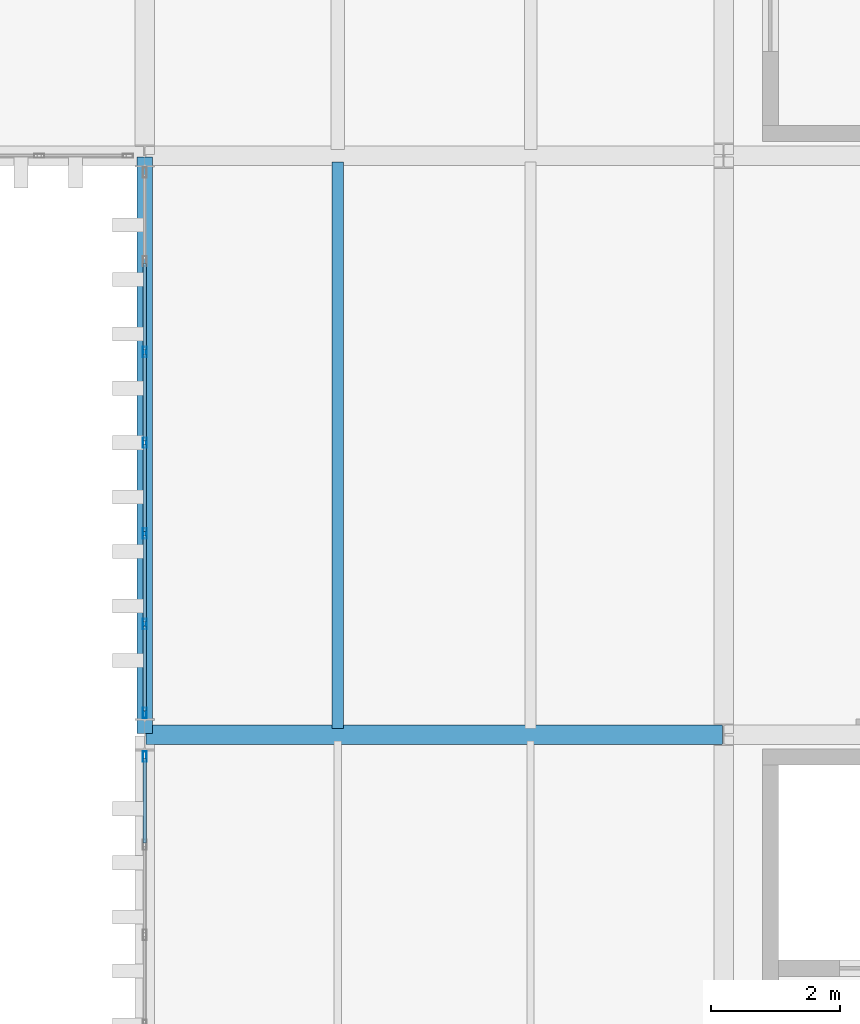
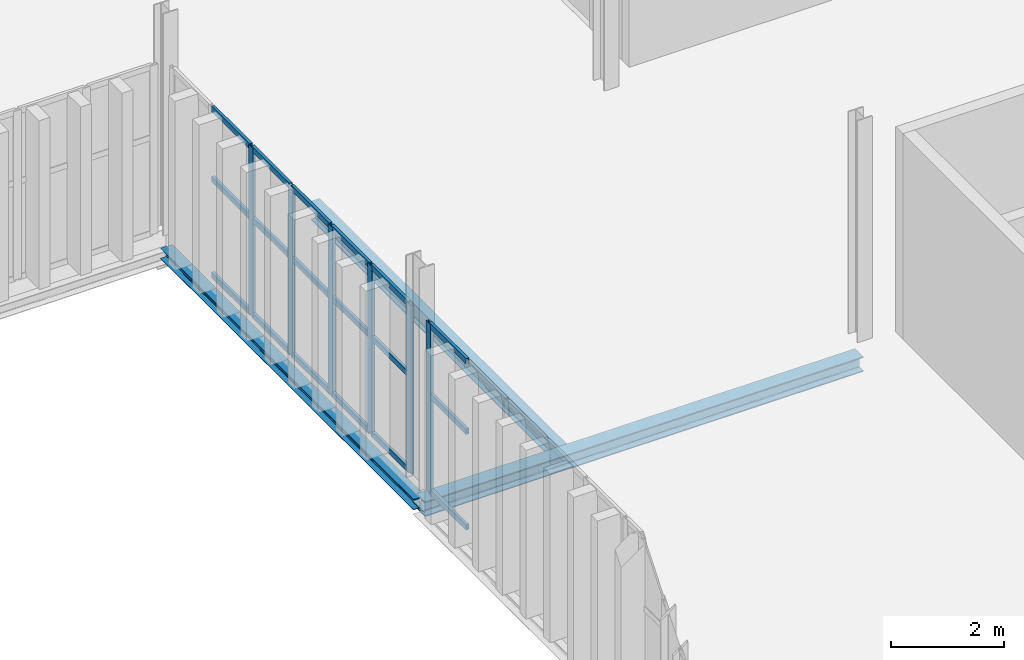
# One storey, part 141 of 196: 24 members, 3 beams, 2 elements without a shape of their own.
"""IFC4 building model written with IfcOpenShell, lengths in metres."""

from ifc_helpers import new_model, si_unit, direction, frame, origin, origin_2d, place, context, subcontext, project, spatial, hollow_rectangle, i_section, extrude, material, layer, layer_set, material_profile, profile_set, type_object, element, aggregate, save


model = new_model("IFC4")

# Units and contexts
model_context = context("Model", 3, precision=1e-05, world=origin(), true_north=direction((0.0, 1.0)))
body_context = subcontext(model_context, "Body", "Model", "MODEL_VIEW")
ifc_project = project(units=[si_unit("LENGTHUNIT", "METRE"), si_unit("AREAUNIT", "SQUARE_METRE"), si_unit("VOLUMEUNIT", "CUBIC_METRE"), si_unit("PLANEANGLEUNIT", "RADIAN"), si_unit("MASSUNIT", "GRAM", prefix="KILO")], contexts=[model_context])

# Site, building, storey
site_placement = place(None, origin())
site = spatial("IfcSite", under=ifc_project, at=site_placement, CompositionType="ELEMENT")
building_placement = place(site_placement, origin())
building = spatial("IfcBuilding", under=site, at=building_placement, Name="Barlavento Convention Centre", CompositionType="ELEMENT")
storey_placement = place(building_placement, frame((0.0, 0.0, 18.0)))
storey = spatial("IfcBuildingStorey", under=building, at=storey_placement, Name="L03", CompositionType="ELEMENT", Elevation=18.0)

# Curtain wall, member
ifc_material_1 = material(Name="Powder-coated aluminium and Low-E glass", Category="aluminium")
ifc_layer = layer(ifc_material_1, 0.179931640625)
ifc_layer_set = layer_set([ifc_layer], Name="ARC-CW-PATIO-B")
curtain_wall_type = type_object("IfcCurtainWallType", Name="ARC-CW-PATIO-B", PredefinedType="NOTDEFINED", material=ifc_layer_set)
curtain_wall_1_placement = place(storey_placement, origin())
curtain_wall_1 = element("IfcCurtainWall", 1, at=curtain_wall_1_placement, inside=storey, type_object=curtain_wall_type, Name="L03 unitised curtain wall CW12", PredefinedType="NOTDEFINED")
ifc_material_2 = material(Name="Powder-coated aluminium", Category="aluminium")
ifc_material_profile_1 = material_profile(ifc_material_2, hollow_rectangle(XDim=0.06005859375, YDim=0.159912109375, WallThickness=0.00390625, at=origin_2d()), Name="AL-MULL 60x160x4")
ifc_profile_set_1 = profile_set([ifc_material_profile_1], Name="Powder-coated aluminium")
member_type_1 = type_object("IfcMemberType", Name="ARC-CWM-60X160", PredefinedType="MULLION", material=ifc_profile_set_1)
member_1_placement = place(storey_placement, frame((171.0, 80.659912109375, 0.0), z_axis=(0.0, 0.0, 1.0), x_axis=(-1.0, 0.0, 0.0)))
member_1 = element("IfcMember", 2, at=member_1_placement, type_object=member_type_1, Name="CW12 mullion 7", PredefinedType="MULLION", context=body_context, shape_type="SweptSolid", body=[
    extrude(hollow_rectangle(XDim=0.06005859375, YDim=0.159912109375, WallThickness=0.00390625, at=origin_2d()), origin(), (0.0, 0.0, 1.0), 3.64990234375),
])

# Curtain wall, members
curtain_wall_2_placement = place(storey_placement, origin())
curtain_wall_2 = element("IfcCurtainWall", 3, at=curtain_wall_2_placement, inside=storey, type_object=curtain_wall_type, Name="L03 unitised curtain wall CW12", PredefinedType="NOTDEFINED")
member_2_placement = place(storey_placement, frame((171.0, 81.340087890625, 0.0), z_axis=(0.0, 0.0, 1.0), x_axis=(-1.0, 0.0, 0.0)))
member_2 = element("IfcMember", 4, at=member_2_placement, type_object=member_type_1, Name="CW12 mullion 1", PredefinedType="MULLION", context=body_context, shape_type="SweptSolid", body=[
    extrude(hollow_rectangle(XDim=0.06005859375, YDim=0.159912109375, WallThickness=0.00390625, at=origin_2d()), origin(), (0.0, 0.0, 1.0), 3.64990234375),
])
member_3_placement = place(storey_placement, frame((171.0, 82.719970703125, 0.0), z_axis=(0.0, 0.0, 1.0), x_axis=(-1.0, 0.0, 0.0)))
member_3 = element("IfcMember", 5, at=member_3_placement, type_object=member_type_1, Name="CW12 mullion 2", PredefinedType="MULLION", context=body_context, shape_type="SweptSolid", body=[
    extrude(hollow_rectangle(XDim=0.06005859375, YDim=0.159912109375, WallThickness=0.00390625, at=origin_2d()), origin(), (0.0, 0.0, 1.0), 3.64990234375),
])
member_4_placement = place(storey_placement, frame((171.0, 84.1298828125, 0.0), z_axis=(0.0, 0.0, 1.0), x_axis=(-1.0, 0.0, 0.0)))
member_4 = element("IfcMember", 6, at=member_4_placement, type_object=member_type_1, Name="CW12 mullion 3", PredefinedType="MULLION", context=body_context, shape_type="SweptSolid", body=[
    extrude(hollow_rectangle(XDim=0.06005859375, YDim=0.159912109375, WallThickness=0.00390625, at=origin_2d()), origin(), (0.0, 0.0, 1.0), 3.64990234375),
])
member_5_placement = place(storey_placement, frame((171.0, 85.5400390625, 0.0), z_axis=(0.0, 0.0, 1.0), x_axis=(-1.0, 0.0, 0.0)))
member_5 = element("IfcMember", 7, at=member_5_placement, type_object=member_type_1, Name="CW12 mullion 4", PredefinedType="MULLION", context=body_context, shape_type="SweptSolid", body=[
    extrude(hollow_rectangle(XDim=0.06005859375, YDim=0.159912109375, WallThickness=0.00390625, at=origin_2d()), origin(), (0.0, 0.0, 1.0), 3.64990234375),
])
member_6_placement = place(storey_placement, frame((171.0, 86.949951171875, 0.0), z_axis=(0.0, 0.0, 1.0), x_axis=(-1.0, 0.0, 0.0)))
member_6 = element("IfcMember", 8, at=member_6_placement, type_object=member_type_1, Name="CW12 mullion 5", PredefinedType="MULLION", context=body_context, shape_type="SweptSolid", body=[
    extrude(hollow_rectangle(XDim=0.06005859375, YDim=0.159912109375, WallThickness=0.00390625, at=origin_2d()), origin(), (0.0, 0.0, 1.0), 3.64990234375),
])

# Member
ifc_material_profile_2 = material_profile(ifc_material_2, hollow_rectangle(XDim=0.06005859375, YDim=0.1201171875, WallThickness=0.00390625, at=origin_2d()), Name="AL-TRAN 60x120x4")
ifc_profile_set_2 = profile_set([ifc_material_profile_2], Name="Powder-coated aluminium")
member_type_2 = type_object("IfcMemberType", Name="ARC-CWT-60X120", PredefinedType="USERDEFINED", material=ifc_profile_set_2)
member_7_placement = place(storey_placement, frame((171.0, 79.319091796875, 0.030029296875), z_axis=(0.0, 1.0, 0.0), x_axis=(-1.0, 0.0, 0.0)))
member_7 = element("IfcMember", 9, at=member_7_placement, type_object=member_type_2, Name="CW12 transom 6.1", ObjectType="TRANSOM", PredefinedType="USERDEFINED", context=body_context, shape_type="SweptSolid", body=[
    extrude(hollow_rectangle(XDim=0.06005859375, YDim=0.1201171875, WallThickness=0.00390625, at=origin_2d()), origin(), (0.0, 0.0, 1.0), 1.310791015625),
])

member_8_placement = place(storey_placement, frame((171.0, 79.319091796875, 2.10009765625), z_axis=(0.0, 1.0, 0.0), x_axis=(-1.0, 0.0, 0.0)))
member_8 = element("IfcMember", 10, at=member_8_placement, type_object=member_type_2, Name="CW12 transom 6.2", ObjectType="TRANSOM", PredefinedType="USERDEFINED", context=body_context, shape_type="SweptSolid", body=[
    extrude(hollow_rectangle(XDim=0.06005859375, YDim=0.1201171875, WallThickness=0.00390625, at=origin_2d()), origin(), (0.0, 0.0, 1.0), 1.310791015625),
])

member_9_placement = place(storey_placement, frame((171.0, 79.319091796875, 3.6201171875), z_axis=(0.0, 1.0, 0.0), x_axis=(-1.0, 0.0, 0.0)))
member_9 = element("IfcMember", 11, at=member_9_placement, type_object=member_type_2, Name="CW12 transom 6.3", ObjectType="TRANSOM", PredefinedType="USERDEFINED", context=body_context, shape_type="SweptSolid", body=[
    extrude(hollow_rectangle(XDim=0.06005859375, YDim=0.1201171875, WallThickness=0.00390625, at=origin_2d()), origin(), (0.0, 0.0, 1.0), 1.310791015625),
])

aggregate(curtain_wall_1, [member_1, member_7, member_8, member_9])

member_10_placement = place(storey_placement, frame((171.0, 81.3701171875, 0.030029296875), z_axis=(0.0, 1.0, 0.0), x_axis=(-1.0, 0.0, 0.0)))
member_10 = element("IfcMember", 12, at=member_10_placement, type_object=member_type_2, Name="CW12 transom 1.1", ObjectType="TRANSOM", PredefinedType="USERDEFINED", context=body_context, shape_type="SweptSolid", body=[
    extrude(hollow_rectangle(XDim=0.06005859375, YDim=0.1201171875, WallThickness=0.00390625, at=origin_2d()), origin(), (0.0, 0.0, 1.0), 1.31982421875),
])

member_11_placement = place(storey_placement, frame((171.0, 81.3701171875, 2.10009765625), z_axis=(0.0, 1.0, 0.0), x_axis=(-1.0, 0.0, 0.0)))
member_11 = element("IfcMember", 13, at=member_11_placement, type_object=member_type_2, Name="CW12 transom 1.2", ObjectType="TRANSOM", PredefinedType="USERDEFINED", context=body_context, shape_type="SweptSolid", body=[
    extrude(hollow_rectangle(XDim=0.06005859375, YDim=0.1201171875, WallThickness=0.00390625, at=origin_2d()), origin(), (0.0, 0.0, 1.0), 1.31982421875),
])

member_12_placement = place(storey_placement, frame((171.0, 81.3701171875, 3.6201171875), z_axis=(0.0, 1.0, 0.0), x_axis=(-1.0, 0.0, 0.0)))
member_12 = element("IfcMember", 14, at=member_12_placement, type_object=member_type_2, Name="CW12 transom 1.3", ObjectType="TRANSOM", PredefinedType="USERDEFINED", context=body_context, shape_type="SweptSolid", body=[
    extrude(hollow_rectangle(XDim=0.06005859375, YDim=0.1201171875, WallThickness=0.00390625, at=origin_2d()), origin(), (0.0, 0.0, 1.0), 1.31982421875),
])

member_13_placement = place(storey_placement, frame((171.0, 82.75, 0.030029296875), z_axis=(0.0, 1.0, 0.0), x_axis=(-1.0, 0.0, 0.0)))
member_13 = element("IfcMember", 15, at=member_13_placement, type_object=member_type_2, Name="CW12 transom 2.1", ObjectType="TRANSOM", PredefinedType="USERDEFINED", context=body_context, shape_type="SweptSolid", body=[
    extrude(hollow_rectangle(XDim=0.06005859375, YDim=0.1201171875, WallThickness=0.00390625, at=origin_2d()), origin(), (0.0, 0.0, 1.0), 1.35009765625),
])

member_14_placement = place(storey_placement, frame((171.0, 82.75, 2.10009765625), z_axis=(0.0, 1.0, 0.0), x_axis=(-1.0, 0.0, 0.0)))
member_14 = element("IfcMember", 16, at=member_14_placement, type_object=member_type_2, Name="CW12 transom 2.2", ObjectType="TRANSOM", PredefinedType="USERDEFINED", context=body_context, shape_type="SweptSolid", body=[
    extrude(hollow_rectangle(XDim=0.06005859375, YDim=0.1201171875, WallThickness=0.00390625, at=origin_2d()), origin(), (0.0, 0.0, 1.0), 1.35009765625),
])

member_15_placement = place(storey_placement, frame((171.0, 82.75, 3.6201171875), z_axis=(0.0, 1.0, 0.0), x_axis=(-1.0, 0.0, 0.0)))
member_15 = element("IfcMember", 17, at=member_15_placement, type_object=member_type_2, Name="CW12 transom 2.3", ObjectType="TRANSOM", PredefinedType="USERDEFINED", context=body_context, shape_type="SweptSolid", body=[
    extrude(hollow_rectangle(XDim=0.06005859375, YDim=0.1201171875, WallThickness=0.00390625, at=origin_2d()), origin(), (0.0, 0.0, 1.0), 1.35009765625),
])

member_16_placement = place(storey_placement, frame((171.0, 84.159912109375, 0.030029296875), z_axis=(0.0, 1.0, 0.0), x_axis=(-1.0, 0.0, 0.0)))
member_16 = element("IfcMember", 18, at=member_16_placement, type_object=member_type_2, Name="CW12 transom 3.1", ObjectType="TRANSOM", PredefinedType="USERDEFINED", context=body_context, shape_type="SweptSolid", body=[
    extrude(hollow_rectangle(XDim=0.06005859375, YDim=0.1201171875, WallThickness=0.00390625, at=origin_2d()), origin(), (0.0, 0.0, 1.0), 1.35009765625),
])

member_17_placement = place(storey_placement, frame((171.0, 84.159912109375, 2.10009765625), z_axis=(0.0, 1.0, 0.0), x_axis=(-1.0, 0.0, 0.0)))
member_17 = element("IfcMember", 19, at=member_17_placement, type_object=member_type_2, Name="CW12 transom 3.2", ObjectType="TRANSOM", PredefinedType="USERDEFINED", context=body_context, shape_type="SweptSolid", body=[
    extrude(hollow_rectangle(XDim=0.06005859375, YDim=0.1201171875, WallThickness=0.00390625, at=origin_2d()), origin(), (0.0, 0.0, 1.0), 1.35009765625),
])

member_18_placement = place(storey_placement, frame((171.0, 84.159912109375, 3.6201171875), z_axis=(0.0, 1.0, 0.0), x_axis=(-1.0, 0.0, 0.0)))
member_18 = element("IfcMember", 20, at=member_18_placement, type_object=member_type_2, Name="CW12 transom 3.3", ObjectType="TRANSOM", PredefinedType="USERDEFINED", context=body_context, shape_type="SweptSolid", body=[
    extrude(hollow_rectangle(XDim=0.06005859375, YDim=0.1201171875, WallThickness=0.00390625, at=origin_2d()), origin(), (0.0, 0.0, 1.0), 1.35009765625),
])

member_19_placement = place(storey_placement, frame((171.0, 85.570068359375, 0.030029296875), z_axis=(0.0, 1.0, 0.0), x_axis=(-1.0, 0.0, 0.0)))
member_19 = element("IfcMember", 21, at=member_19_placement, type_object=member_type_2, Name="CW12 transom 4.1", ObjectType="TRANSOM", PredefinedType="USERDEFINED", context=body_context, shape_type="SweptSolid", body=[
    extrude(hollow_rectangle(XDim=0.06005859375, YDim=0.1201171875, WallThickness=0.00390625, at=origin_2d()), origin(), (0.0, 0.0, 1.0), 1.349853515625),
])

member_20_placement = place(storey_placement, frame((171.0, 85.570068359375, 2.10009765625), z_axis=(0.0, 1.0, 0.0), x_axis=(-1.0, 0.0, 0.0)))
member_20 = element("IfcMember", 22, at=member_20_placement, type_object=member_type_2, Name="CW12 transom 4.2", ObjectType="TRANSOM", PredefinedType="USERDEFINED", context=body_context, shape_type="SweptSolid", body=[
    extrude(hollow_rectangle(XDim=0.06005859375, YDim=0.1201171875, WallThickness=0.00390625, at=origin_2d()), origin(), (0.0, 0.0, 1.0), 1.349853515625),
])

member_21_placement = place(storey_placement, frame((171.0, 85.570068359375, 3.6201171875), z_axis=(0.0, 1.0, 0.0), x_axis=(-1.0, 0.0, 0.0)))
member_21 = element("IfcMember", 23, at=member_21_placement, type_object=member_type_2, Name="CW12 transom 4.3", ObjectType="TRANSOM", PredefinedType="USERDEFINED", context=body_context, shape_type="SweptSolid", body=[
    extrude(hollow_rectangle(XDim=0.06005859375, YDim=0.1201171875, WallThickness=0.00390625, at=origin_2d()), origin(), (0.0, 0.0, 1.0), 1.349853515625),
])

member_22_placement = place(storey_placement, frame((171.0, 86.97998046875, 0.030029296875), z_axis=(0.0, 1.0, 0.0), x_axis=(-1.0, 0.0, 0.0)))
member_22 = element("IfcMember", 24, at=member_22_placement, type_object=member_type_2, Name="CW12 transom 5.1", ObjectType="TRANSOM", PredefinedType="USERDEFINED", context=body_context, shape_type="SweptSolid", body=[
    extrude(hollow_rectangle(XDim=0.06005859375, YDim=0.1201171875, WallThickness=0.00390625, at=origin_2d()), origin(), (0.0, 0.0, 1.0), 1.35009765625),
])

member_23_placement = place(storey_placement, frame((171.0, 86.97998046875, 2.10009765625), z_axis=(0.0, 1.0, 0.0), x_axis=(-1.0, 0.0, 0.0)))
member_23 = element("IfcMember", 25, at=member_23_placement, type_object=member_type_2, Name="CW12 transom 5.2", ObjectType="TRANSOM", PredefinedType="USERDEFINED", context=body_context, shape_type="SweptSolid", body=[
    extrude(hollow_rectangle(XDim=0.06005859375, YDim=0.1201171875, WallThickness=0.00390625, at=origin_2d()), origin(), (0.0, 0.0, 1.0), 1.35009765625),
])

member_24_placement = place(storey_placement, frame((171.0, 86.97998046875, 3.6201171875), z_axis=(0.0, 1.0, 0.0), x_axis=(-1.0, 0.0, 0.0)))
member_24 = element("IfcMember", 26, at=member_24_placement, type_object=member_type_2, Name="CW12 transom 5.3", ObjectType="TRANSOM", PredefinedType="USERDEFINED", context=body_context, shape_type="SweptSolid", body=[
    extrude(hollow_rectangle(XDim=0.06005859375, YDim=0.1201171875, WallThickness=0.00390625, at=origin_2d()), origin(), (0.0, 0.0, 1.0), 1.35009765625),
])

aggregate(curtain_wall_2, [member_2, member_3, member_4, member_5, member_6, member_10, member_11, member_12, member_13, member_14, member_15, member_16, member_17, member_18, member_19, member_20, member_21, member_22, member_23, member_24])

# Beams
ifc_material_3 = material(Name="Steel S355", Category="steel")
ifc_material_profile_3 = material_profile(ifc_material_3, i_section(OverallWidth=0.179931640625, OverallDepth=0.39990234375, WebThickness=0.008544921875, FlangeThickness=0.013427734375, FilletRadius=0.02099609375, at=origin_2d()), Name="IPE 400")
ifc_profile_set_3 = profile_set([ifc_material_profile_3], Name="Steel S355")
beam_type_1 = type_object("IfcBeamType", Name="STR-BM-JST-IPE400", PredefinedType="JOIST", material=ifc_profile_set_3)
beam_1_placement = place(storey_placement, frame((174.0, 81.094970703125, -0.56005859375), z_axis=(0.0, 1.0, 0.0), x_axis=(-1.0, 0.0, 0.0)))
element("IfcBeam", 27, at=beam_1_placement, inside=storey, type_object=beam_type_1, Name="L03 composite floor joist SJ04", PredefinedType="JOIST", context=body_context, shape_type="SweptSolid", body=[
    extrude(i_section(OverallWidth=0.179931640625, OverallDepth=0.39990234375, WebThickness=0.008544921875, FlangeThickness=0.013427734375, FilletRadius=0.02099609375, at=origin_2d()), origin(), (0.0, 0.0, 1.0), 8.81005859375),
])
ifc_material_profile_4 = material_profile(ifc_material_3, i_section(OverallWidth=0.300048828125, OverallDepth=0.320068359375, WebThickness=0.011474609375, FlangeThickness=0.0205078125, FilletRadius=0.027099609375, at=origin_2d()), Name="HEB 320")
ifc_profile_set_4 = profile_set([ifc_material_profile_4], Name="Steel S355")
beam_type_2 = type_object("IfcBeamType", Name="STR-BM-PRI-HEB320", PredefinedType="BEAM", material=ifc_profile_set_4)
beam_2_placement = place(storey_placement, frame((171.02001953125, 81.0, -0.52001953125), z_axis=(1.0, 0.0, 0.0), x_axis=(0.0, 1.0, 0.0)))
element("IfcBeam", 28, at=beam_2_placement, inside=storey, type_object=beam_type_2, Name="L03 primary girder BG13", PredefinedType="BEAM", context=body_context, shape_type="SweptSolid", body=[
    extrude(i_section(OverallWidth=0.300048828125, OverallDepth=0.320068359375, WebThickness=0.011474609375, FlangeThickness=0.0205078125, FilletRadius=0.027099609375, at=origin_2d()), origin(), (0.0, 0.0, 1.0), 8.9599609375),
])
ifc_material_profile_5 = material_profile(ifc_material_3, i_section(OverallWidth=0.239990234375, OverallDepth=0.22998046875, WebThickness=0.007568359375, FlangeThickness=0.011962890625, FilletRadius=0.02099609375, at=origin_2d()), Name="HEA 240")
ifc_profile_set_5 = profile_set([ifc_material_profile_5], Name="Steel S355")
beam_type_3 = type_object("IfcBeamType", Name="STR-BM-SPN-HEA240", PredefinedType="SPANDREL", material=ifc_profile_set_5)
beam_3_placement = place(storey_placement, frame((171.0, 81.02001953125, -0.47509765625), z_axis=(0.0, 1.0, 0.0), x_axis=(-1.0, 0.0, 0.0)))
element("IfcBeam", 29, at=beam_3_placement, inside=storey, type_object=beam_type_3, Name="L03 grid girder SP05", PredefinedType="SPANDREL", context=body_context, shape_type="SweptSolid", body=[
    extrude(i_section(OverallWidth=0.239990234375, OverallDepth=0.22998046875, WebThickness=0.007568359375, FlangeThickness=0.011962890625, FilletRadius=0.02099609375, at=origin_2d()), origin(), (0.0, 0.0, 1.0), 8.9599609375),
])

save(model, "model.ifc")
